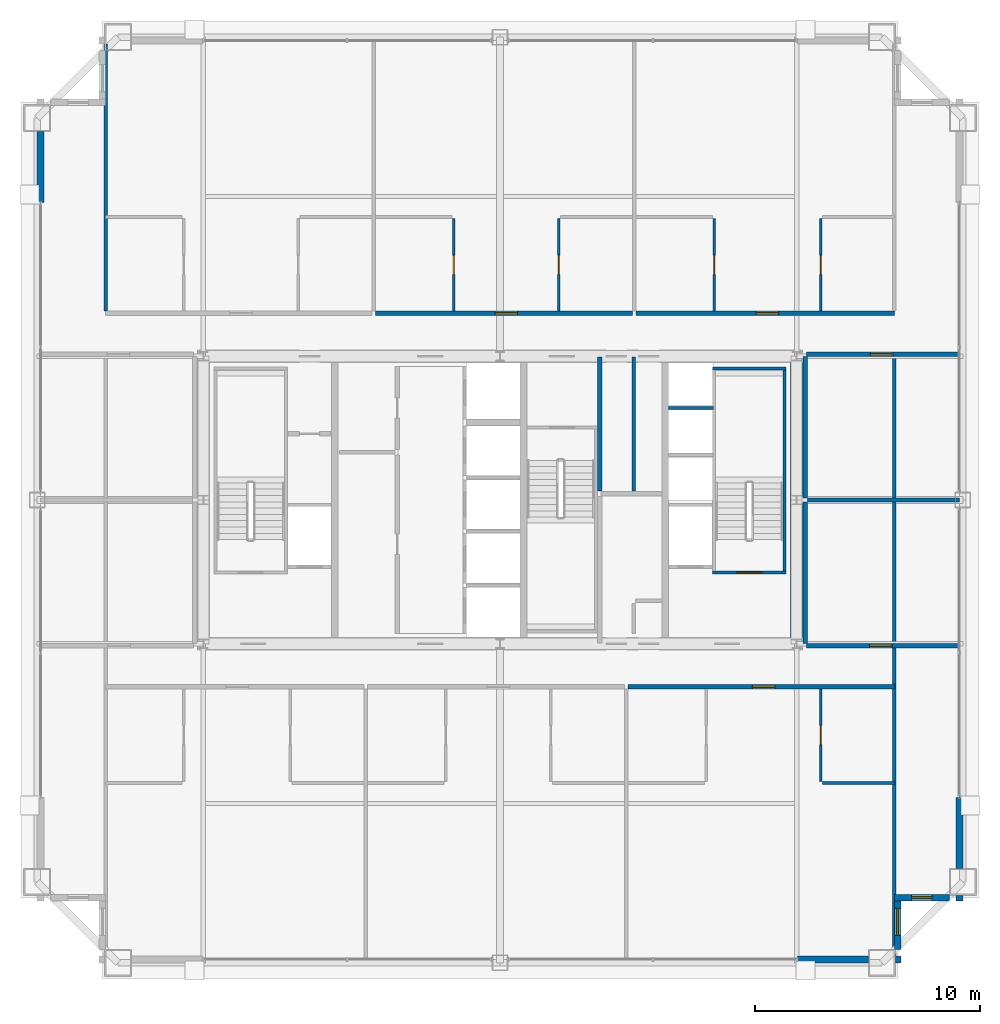
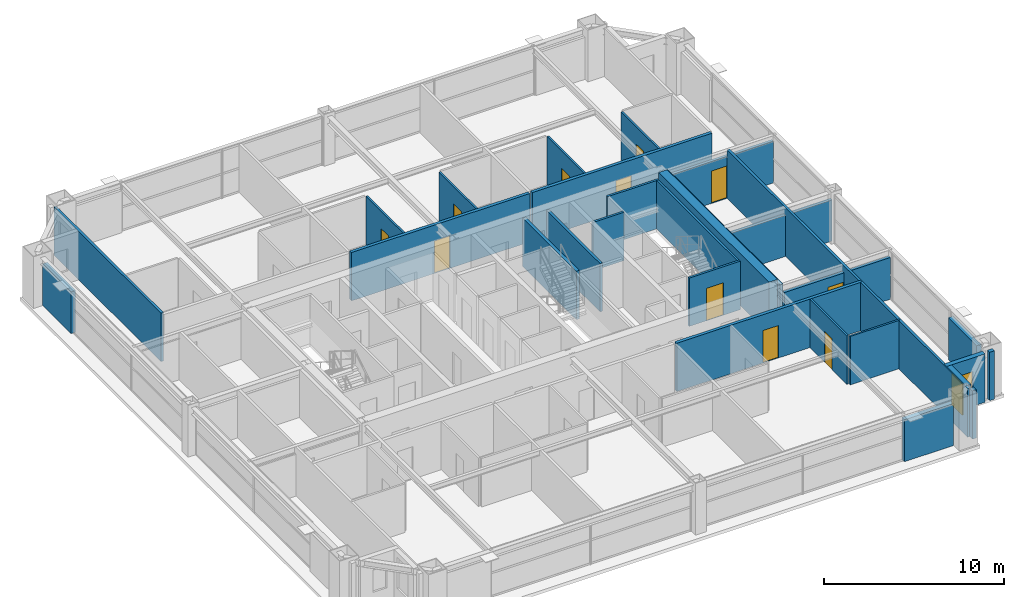
# One storey, part 34 of 36: 30 walls, 11 doors, 2 windows, 13 openings.
"""IFC4 building model written with IfcOpenShell, lengths in metres."""

from ifc_helpers import new_model, si_unit, direction, frame, frame_2d, origin, place, context, subcontext, project, spatial, rectangle, extrude, source, transform, mapped, material, layer, layer_set, type_object, element, fill, save


model = new_model("IFC4")

# Units and contexts
model_context = context("Model", 3, precision=1e-05, world=origin(), true_north=direction((0.0, 1.0)))
body_context = subcontext(model_context, "Body", "Model", "MODEL_VIEW")
ifc_project = project(units=[si_unit("LENGTHUNIT", "METRE"), si_unit("AREAUNIT", "SQUARE_METRE"), si_unit("VOLUMEUNIT", "CUBIC_METRE"), si_unit("PLANEANGLEUNIT", "RADIAN"), si_unit("MASSUNIT", "GRAM", prefix="KILO"), si_unit("THERMODYNAMICTEMPERATUREUNIT", "KELVIN"), si_unit("POWERUNIT", "WATT")], contexts=[model_context])

# Site, building, storey
site_placement = place(None, origin())
site = spatial("IfcSite", under=ifc_project, at=site_placement, CompositionType="ELEMENT")
building_placement = place(site_placement, origin())
building = spatial("IfcBuilding", under=site, at=building_placement, Name="Yuzanri Waterfront Tower", CompositionType="ELEMENT")
storey_placement = place(building_placement, frame((0.0, 0.0, 238.10009765625)))
storey = spatial("IfcBuildingStorey", under=building, at=storey_placement, Name="L63", CompositionType="ELEMENT", Elevation=238.10009765625)

# Wall, opening, door
ifc_material_1 = material(Name="Moisture-Resistant Gypsum Stud Wall", Category="gypsum")
ifc_layer_1 = layer(ifc_material_1, 0.1201171875)
ifc_layer_set_1 = layer_set([ifc_layer_1], Name="Moisture-Resistant Gypsum Stud Wall")
wall_type_1 = type_object("IfcWallType", Name="Bathroom and Kitchen Wet Partition 120", PredefinedType="PARTITIONING", material=ifc_layer_set_1)
wall_1_placement = place(storey_placement, frame((51.280029296875, 13.280029296875, 0.0), z_axis=(0.0, 0.0, 1.0), x_axis=(0.0, 1.0, 0.0)))
wall_1 = element("IfcWall", 1, at=wall_1_placement, inside=storey, type_object=wall_type_1, Name="L63 Partition UW-L63-RS3-SUB-2-W", PredefinedType="PARTITIONING", context=body_context, shape_type="SweptSolid", body=[
    extrude(rectangle(XDim=4.10986328125, YDim=0.1201171875, at=frame_2d((2.054931640625, 0.0))), origin(), (0.0, 0.0, 1.0), 3.27978515625),
])
opening_1_placement = place(wall_1_placement, frame((1.6298828125, 0.0, 0.0)))
opening_1 = element("IfcOpeningElement", 2, at=opening_1_placement, cuts=wall_1, Name="Opening ID-0850", PredefinedType="OPENING", context=body_context, shape_type="SweptSolid", body=[
    extrude(rectangle(XDim=0.85009765625, YDim=2.10009765625, at=frame_2d((0.425048828125, 1.050048828125))), frame((0.0, 0.074951171875, 0.0), z_axis=(0.0, -1.0, 0.0), x_axis=(1.0, 0.0, 0.0)), (0.0, 0.0, 1.0), 0.14990234375),
])
ifc_material_2 = material(Name="Moisture-Resistant Lacquered Timber", Category="wood")
door_type_1 = type_object("IfcDoorType", Name="En-Suite Bathroom and Kitchen Swing Door 850x2100", OperationType="NOTDEFINED", PredefinedType="DOOR", material=ifc_material_2)
shared_shape_1 = source(origin(), body_context, "Body", "SweptSolid", [
    extrude(rectangle(XDim=0.85009765625, YDim=2.10009765625, at=frame_2d((0.425048828125, 1.050048828125))), frame((0.0, 0.02490234375, 0.0), z_axis=(0.0, -1.0, 0.0), x_axis=(1.0, 0.0, 0.0)), (0.0, 0.0, 1.0), 0.050048828125),
])
door_1_placement = place(opening_1_placement, origin())
door_1 = element("IfcDoor", 3, at=door_1_placement, inside=storey, type_object=door_type_1, Name="L63 Suite Interior Room Door", OperationType="SINGLE_SWING_RIGHT", OverallHeight=2.10009765625, OverallWidth=0.85009765625, PredefinedType="DOOR", context=body_context, shape_type="MappedRepresentation", body=[
    mapped(shared_shape_1, transform((0.0, 0.0, 0.0), scale=1.0)),
])
fill(opening_1, door_1)

wall_2_placement = place(storey_placement, frame((34.94091796875, 34.2099609375, 0.0), z_axis=(0.0, 0.0, 1.0), x_axis=(0.0, 1.0, 0.0)))
wall_2 = element("IfcWall", 4, at=wall_2_placement, inside=storey, type_object=wall_type_1, Name="L63 Partition UW-L63-RN2-SUB-1-E", PredefinedType="PARTITIONING", context=body_context, shape_type="SweptSolid", body=[
    extrude(rectangle(XDim=4.110107421875, YDim=0.1201171875, at=frame_2d((2.05517578125, 0.0))), origin(), (0.0, 0.0, 1.0), 3.27978515625),
])
opening_2_placement = place(wall_2_placement, frame((1.6298828125, 0.0, 0.0)))
opening_2 = element("IfcOpeningElement", 5, at=opening_2_placement, cuts=wall_2, Name="Opening ID-0850", PredefinedType="OPENING", context=body_context, shape_type="SweptSolid", body=[
    extrude(rectangle(XDim=0.85009765625, YDim=2.10009765625, at=frame_2d((0.425048828125, 1.050048828125))), frame((0.0, 0.074951171875, 0.0), z_axis=(0.0, -1.0, 0.0), x_axis=(1.0, 0.0, 0.0)), (0.0, 0.0, 1.0), 0.14990234375),
])
door_2_placement = place(opening_2_placement, origin())
door_2 = element("IfcDoor", 6, at=door_2_placement, inside=storey, type_object=door_type_1, Name="L63 Suite Interior Room Door", OperationType="SINGLE_SWING_LEFT", OverallHeight=2.10009765625, OverallWidth=0.85009765625, PredefinedType="DOOR", context=body_context, shape_type="MappedRepresentation", body=[
    mapped(shared_shape_1, transform((0.0, 0.0, 0.0), scale=1.0)),
])
fill(opening_2, door_2)

wall_3_placement = place(storey_placement, frame((39.610107421875, 34.2099609375, 0.0), z_axis=(0.0, 0.0, 1.0), x_axis=(0.0, 1.0, 0.0)))
wall_3 = element("IfcWall", 7, at=wall_3_placement, inside=storey, type_object=wall_type_1, Name="L63 Partition UW-L63-RN2-SUB-2-W", PredefinedType="PARTITIONING", context=body_context, shape_type="SweptSolid", body=[
    extrude(rectangle(XDim=4.110107421875, YDim=0.1201171875, at=frame_2d((2.05517578125, 0.0))), origin(), (0.0, 0.0, 1.0), 3.27978515625),
])
opening_3_placement = place(wall_3_placement, frame((1.6298828125, 0.0, 0.0)))
opening_3 = element("IfcOpeningElement", 8, at=opening_3_placement, cuts=wall_3, Name="Opening ID-0850", PredefinedType="OPENING", context=body_context, shape_type="SweptSolid", body=[
    extrude(rectangle(XDim=0.85009765625, YDim=2.10009765625, at=frame_2d((0.425048828125, 1.050048828125))), frame((0.0, 0.074951171875, 0.0), z_axis=(0.0, -1.0, 0.0), x_axis=(1.0, 0.0, 0.0)), (0.0, 0.0, 1.0), 0.14990234375),
])
door_3_placement = place(opening_3_placement, origin())
door_3 = element("IfcDoor", 9, at=door_3_placement, inside=storey, type_object=door_type_1, Name="L63 Suite Interior Room Door", OperationType="SINGLE_SWING_RIGHT", OverallHeight=2.10009765625, OverallWidth=0.85009765625, PredefinedType="DOOR", context=body_context, shape_type="MappedRepresentation", body=[
    mapped(shared_shape_1, transform((0.0, 0.0, 0.0), scale=1.0)),
])
fill(opening_3, door_3)

wall_4_placement = place(storey_placement, frame((46.530029296875, 34.2099609375, 0.0), z_axis=(0.0, 0.0, 1.0), x_axis=(0.0, 1.0, 0.0)))
wall_4 = element("IfcWall", 10, at=wall_4_placement, inside=storey, type_object=wall_type_1, Name="L63 Partition UW-L63-RN3-SUB-1-E", PredefinedType="PARTITIONING", context=body_context, shape_type="SweptSolid", body=[
    extrude(rectangle(XDim=4.110107421875, YDim=0.1201171875, at=frame_2d((2.05517578125, 0.0))), origin(), (0.0, 0.0, 1.0), 3.27978515625),
])
opening_4_placement = place(wall_4_placement, frame((1.6298828125, 0.0, 0.0)))
opening_4 = element("IfcOpeningElement", 11, at=opening_4_placement, cuts=wall_4, Name="Opening ID-0850", PredefinedType="OPENING", context=body_context, shape_type="SweptSolid", body=[
    extrude(rectangle(XDim=0.85009765625, YDim=2.10009765625, at=frame_2d((0.425048828125, 1.050048828125))), frame((0.0, 0.074951171875, 0.0), z_axis=(0.0, -1.0, 0.0), x_axis=(1.0, 0.0, 0.0)), (0.0, 0.0, 1.0), 0.14990234375),
])
door_4_placement = place(opening_4_placement, origin())
door_4 = element("IfcDoor", 12, at=door_4_placement, inside=storey, type_object=door_type_1, Name="L63 Suite Interior Room Door", OperationType="SINGLE_SWING_RIGHT", OverallHeight=2.10009765625, OverallWidth=0.85009765625, PredefinedType="DOOR", context=body_context, shape_type="MappedRepresentation", body=[
    mapped(shared_shape_1, transform((0.0, 0.0, 0.0), scale=1.0)),
])
fill(opening_4, door_4)

wall_5_placement = place(storey_placement, frame((51.280029296875, 34.2099609375, 0.0), z_axis=(0.0, 0.0, 1.0), x_axis=(0.0, 1.0, 0.0)))
wall_5 = element("IfcWall", 13, at=wall_5_placement, inside=storey, type_object=wall_type_1, Name="L63 Partition UW-L63-RN3-SUB-2-W", PredefinedType="PARTITIONING", context=body_context, shape_type="SweptSolid", body=[
    extrude(rectangle(XDim=4.110107421875, YDim=0.1201171875, at=frame_2d((2.05517578125, 0.0))), origin(), (0.0, 0.0, 1.0), 3.27978515625),
])
opening_5_placement = place(wall_5_placement, frame((1.6298828125, 0.0, 0.0)))
opening_5 = element("IfcOpeningElement", 14, at=opening_5_placement, cuts=wall_5, Name="Opening ID-0850", PredefinedType="OPENING", context=body_context, shape_type="SweptSolid", body=[
    extrude(rectangle(XDim=0.85009765625, YDim=2.10009765625, at=frame_2d((0.425048828125, 1.050048828125))), frame((0.0, 0.074951171875, 0.0), z_axis=(0.0, -1.0, 0.0), x_axis=(1.0, 0.0, 0.0)), (0.0, 0.0, 1.0), 0.14990234375),
])
door_5_placement = place(opening_5_placement, origin())
door_5 = element("IfcDoor", 15, at=door_5_placement, inside=storey, type_object=door_type_1, Name="L63 Suite Interior Room Door", OperationType="SINGLE_SWING_LEFT", OverallHeight=2.10009765625, OverallWidth=0.85009765625, PredefinedType="DOOR", context=body_context, shape_type="MappedRepresentation", body=[
    mapped(shared_shape_1, transform((0.0, 0.0, 0.0), scale=1.0)),
])
fill(opening_5, door_5)

# Wall, opening, window
ifc_material_3 = material(Name="Honed Chongqing Dark Basalt Stone", Category="masonry")
ifc_layer_2 = layer(ifc_material_3, 0.300048828125)
ifc_layer_set_2 = layer_set([ifc_layer_2], Name="Honed Chongqing Dark Basalt Stone")
wall_type_2 = type_object("IfcWallType", Name="Bronze Rainscreen Insulated Spandrel Portal Wall 300", PredefinedType="SOLIDWALL", material=ifc_layer_set_2)
wall_6_placement = place(storey_placement, frame((54.550048828125, 8.10009765625, 0.0), z_axis=(0.0, 0.0, 1.0), x_axis=(1.0, 0.0, 0.0)))
wall_6 = element("IfcWall", 16, at=wall_6_placement, inside=storey, type_object=wall_type_2, Name="L63 Notched Corner Masonry Wall SE-X", PredefinedType="SOLIDWALL", context=body_context, shape_type="SweptSolid", body=[
    extrude(rectangle(XDim=2.449951171875, YDim=0.300048828125, at=frame_2d((1.22509765625, 0.0))), origin(), (0.0, 0.0, 1.0), 3.27978515625),
])
opening_6_placement = place(wall_6_placement, frame((0.77490234375, 0.0, 0.85009765625)))
opening_6 = element("IfcOpeningElement", 17, at=opening_6_placement, cuts=wall_6, Name="Opening WN-05", PredefinedType="OPENING", context=body_context, shape_type="SweptSolid", body=[
    extrude(rectangle(XDim=0.89990234375, YDim=1.5, at=frame_2d((0.449951171875, 0.75))), frame((0.0, 0.1650390625, 0.0), z_axis=(0.0, -1.0, 0.0), x_axis=(1.0, 0.0, 0.0)), (0.0, 0.0, 1.0), 0.329833984375),
])
ifc_material_4 = material(Name="Double-Silver Low-E Insulated Glass", Category="glass")
window_type_1 = type_object("IfcWindowType", Name="Anodized Bronze Service and Stairwell Smoke-Vent Window 900x1500", PartitioningType="SINGLE_PANEL", PredefinedType="WINDOW", material=ifc_material_4)
shared_shape_2 = source(origin(), body_context, "Body", "SweptSolid", [
    extrude(rectangle(XDim=0.89990234375, YDim=1.5, at=frame_2d((0.449951171875, 0.75))), frame((0.0, 0.030029296875, 0.0), z_axis=(0.0, -1.0, 0.0), x_axis=(1.0, 0.0, 0.0)), (0.0, 0.0, 1.0), 0.06005859375),
])
window_1_placement = place(opening_6_placement, origin())
window_1 = element("IfcWindow", 18, at=window_1_placement, inside=storey, type_object=window_type_1, Name="L63 Notched Corner Window SE-X", OverallHeight=1.5, OverallWidth=0.89990234375, PartitioningType="SINGLE_PANEL", PredefinedType="WINDOW", context=body_context, shape_type="MappedRepresentation", body=[
    mapped(shared_shape_2, transform((0.0, 0.0, 0.0), scale=1.0)),
])
fill(opening_6, window_1)

wall_7_placement = place(storey_placement, frame((54.699951171875, 5.800048828125, 0.0), z_axis=(0.0, 0.0, 1.0), x_axis=(0.0, 1.0, 0.0)))
wall_7 = element("IfcWall", 19, at=wall_7_placement, inside=storey, type_object=wall_type_2, Name="L63 Notched Corner Masonry Wall SE-Y", PredefinedType="SOLIDWALL", context=body_context, shape_type="SweptSolid", body=[
    extrude(rectangle(XDim=2.449951171875, YDim=0.300048828125, at=frame_2d((1.22509765625, 0.0))), origin(), (0.0, 0.0, 1.0), 3.27978515625),
])
opening_7_placement = place(wall_7_placement, frame((0.625, 0.0, 0.85009765625)))
opening_7 = element("IfcOpeningElement", 20, at=opening_7_placement, cuts=wall_7, Name="Opening WN-02", PredefinedType="OPENING", context=body_context, shape_type="SweptSolid", body=[
    extrude(rectangle(XDim=1.199951171875, YDim=2.10009765625, at=frame_2d((0.60009765625, 1.050048828125))), frame((0.0, 0.1650390625, 0.0), z_axis=(0.0, -1.0, 0.0), x_axis=(1.0, 0.0, 0.0)), (0.0, 0.0, 1.0), 0.329833984375),
])
ifc_material_5 = material(Name="Double-Silver Low-E Insulated Glass", Category="glass")
window_type_2 = type_object("IfcWindowType", Name="Anodized Bronze Notched Corner Deep-Set Slot Window 1200x2100", PartitioningType="SINGLE_PANEL", PredefinedType="WINDOW", material=ifc_material_5)
shared_shape_3 = source(origin(), body_context, "Body", "SweptSolid", [
    extrude(rectangle(XDim=1.199951171875, YDim=2.10009765625, at=frame_2d((0.60009765625, 1.050048828125))), frame((0.0, 0.030029296875, 0.0), z_axis=(0.0, -1.0, 0.0), x_axis=(1.0, 0.0, 0.0)), (0.0, 0.0, 1.0), 0.06005859375),
])
window_2_placement = place(opening_7_placement, origin())
window_2 = element("IfcWindow", 21, at=window_2_placement, inside=storey, type_object=window_type_2, Name="L63 Notched Corner Window SE-Y", OverallHeight=2.10009765625, OverallWidth=1.199951171875, PartitioningType="SINGLE_PANEL", PredefinedType="WINDOW", context=body_context, shape_type="MappedRepresentation", body=[
    mapped(shared_shape_3, transform((0.0, 0.0, 0.0), scale=1.0)),
])
fill(opening_7, window_2)

# Wall, opening, door
ifc_material_6 = material(Name="Concrete C40", Category="concrete")
ifc_layer_3 = layer(ifc_material_6, 0.139892578125)
ifc_layer_set_3 = layer_set([ifc_layer_3], Name="Concrete C40")
wall_type_3 = type_object("IfcWallType", Name="Core Stair Liner and Hoistway Shaft Wall 140", PredefinedType="SOLIDWALL", material=ifc_layer_set_3)
wall_8_placement = place(storey_placement, frame((46.4599609375, 22.570068359375, 0.0), z_axis=(0.0, 0.0, 1.0), x_axis=(1.0, 0.0, 0.0)))
wall_8 = element("IfcWall", 22, at=wall_8_placement, inside=storey, type_object=wall_type_3, Name="L63 Shaft Wall STW-L63-ST-02-S", PredefinedType="SOLIDWALL", context=body_context, shape_type="SweptSolid", body=[
    extrude(rectangle(XDim=3.280029296875, YDim=0.139892578125, at=frame_2d((1.64013671875, 0.0))), origin(), (0.0, 0.0, 1.0), 3.27978515625),
])
opening_8_placement = place(wall_8_placement, frame((1.090087890625, 0.0, 0.0)))
opening_8 = element("IfcOpeningElement", 23, at=opening_8_placement, cuts=wall_8, Name="Opening FD-1100", PredefinedType="OPENING", context=body_context, shape_type="SweptSolid", body=[
    extrude(rectangle(XDim=1.10009765625, YDim=2.199951171875, at=frame_2d((0.550048828125, 1.10009765625))), frame((0.0, 0.0849609375, 0.0), z_axis=(0.0, -1.0, 0.0), x_axis=(1.0, 0.0, 0.0)), (0.0, 0.0, 1.0), 0.169677734375),
])
ifc_material_7 = material(Name="Painted Galvanized Fire Steel", Category="steel")
door_type_2 = type_object("IfcDoorType", Name="Smoke-Proof Stair and Lobby Fire Door 1100x2200", OperationType="NOTDEFINED", PredefinedType="DOOR", material=ifc_material_7)
shared_shape_4 = source(origin(), body_context, "Body", "SweptSolid", [
    extrude(rectangle(XDim=1.10009765625, YDim=2.199951171875, at=frame_2d((0.550048828125, 1.10009765625))), frame((0.0, 0.02490234375, 0.0), z_axis=(0.0, -1.0, 0.0), x_axis=(1.0, 0.0, 0.0)), (0.0, 0.0, 1.0), 0.050048828125),
])
door_6_placement = place(opening_8_placement, origin())
door_6 = element("IfcDoor", 24, at=door_6_placement, inside=storey, type_object=door_type_2, Name="L63 Stair ST-02 Fire Door", OperationType="SINGLE_SWING_LEFT", OverallHeight=2.199951171875, OverallWidth=1.10009765625, PredefinedType="DOOR", context=body_context, shape_type="MappedRepresentation", body=[
    mapped(shared_shape_4, transform((0.0, 0.0, 0.0), scale=1.0)),
])
fill(opening_8, door_6)

ifc_material_8 = material(Name="Autoclaved Aerated Concrete Blockwork", Category="masonry")
ifc_layer_4 = layer(ifc_material_8, 0.199951171875)
ifc_layer_set_4 = layer_set([ifc_layer_4], Name="Autoclaved Aerated Concrete Blockwork")
wall_type_4 = type_object("IfcWallType", Name="Corridor and Unit Party Fire Wall 200", PredefinedType="PARTITIONING", material=ifc_layer_set_4)
wall_9_placement = place(storey_placement, frame((42.698974609375, 17.489990234375, 0.0), z_axis=(0.0, 0.0, 1.0), x_axis=(1.0, 0.0, 0.0)))
wall_9 = element("IfcWall", 25, at=wall_9_placement, inside=storey, type_object=wall_type_4, Name="L63 Partition UW-L63-RS3-CN", PredefinedType="PARTITIONING", context=body_context, shape_type="SweptSolid", body=[
    extrude(rectangle(XDim=11.861083984375, YDim=0.199951171875, at=frame_2d((5.9306640625, 0.0))), origin(), (0.0, 0.0, 1.0), 3.27978515625),
])
opening_9_placement = place(wall_9_placement, frame((5.531005859375, 0.0, 0.0)))
opening_9 = element("IfcOpeningElement", 26, at=opening_9_placement, cuts=wall_9, Name="Opening FD-1000", PredefinedType="OPENING", context=body_context, shape_type="SweptSolid", body=[
    extrude(rectangle(XDim=1.0, YDim=2.199951171875, at=frame_2d((0.5, 1.10009765625))), frame((0.0, 0.11474609375, 0.0), z_axis=(0.0, -1.0, 0.0), x_axis=(1.0, 0.0, 0.0)), (0.0, 0.0, 1.0), 0.229736328125),
])
ifc_material_9 = material(Name="Engineered Oak Fire-Rated Timber", Category="wood")
door_type_3 = type_object("IfcDoorType", Name="Guestroom and Apartment Entrance Fire Door 1000x2200", OperationType="NOTDEFINED", PredefinedType="DOOR", material=ifc_material_9)
shared_shape_5 = source(origin(), body_context, "Body", "SweptSolid", [
    extrude(rectangle(XDim=1.0, YDim=2.199951171875, at=frame_2d((0.5, 1.10009765625))), frame((0.0, 0.02490234375, 0.0), z_axis=(0.0, -1.0, 0.0), x_axis=(1.0, 0.0, 0.0)), (0.0, 0.0, 1.0), 0.050048828125),
])
door_7_placement = place(opening_9_placement, origin())
door_7 = element("IfcDoor", 27, at=door_7_placement, inside=storey, type_object=door_type_3, Name="L63 Studio Living and Sleeping Room Entrance Door", OperationType="SINGLE_SWING_RIGHT", OverallHeight=2.199951171875, OverallWidth=1.0, PredefinedType="DOOR", context=body_context, shape_type="MappedRepresentation", body=[
    mapped(shared_shape_5, transform((0.0, 0.0, 0.0), scale=1.0)),
])
fill(opening_9, door_7)

wall_10_placement = place(storey_placement, frame((31.4609375, 34.110107421875, 0.0), z_axis=(0.0, 0.0, 1.0), x_axis=(1.0, 0.0, 0.0)))
wall_10 = element("IfcWall", 28, at=wall_10_placement, inside=storey, type_object=wall_type_4, Name="L63 Partition UW-L63-RN2-CS", PredefinedType="PARTITIONING", context=body_context, shape_type="SweptSolid", body=[
    extrude(rectangle(XDim=11.428955078125, YDim=0.199951171875, at=frame_2d((5.71435546875, 0.0))), origin(), (0.0, 0.0, 1.0), 3.27978515625),
])
opening_10_placement = place(wall_10_placement, frame((5.31396484375, 0.0, 0.0)))
opening_10 = element("IfcOpeningElement", 29, at=opening_10_placement, cuts=wall_10, Name="Opening FD-1000", PredefinedType="OPENING", context=body_context, shape_type="SweptSolid", body=[
    extrude(rectangle(XDim=1.0, YDim=2.199951171875, at=frame_2d((0.5, 1.10009765625))), frame((0.0, 0.11474609375, 0.0), z_axis=(0.0, -1.0, 0.0), x_axis=(1.0, 0.0, 0.0)), (0.0, 0.0, 1.0), 0.229736328125),
])
door_8_placement = place(opening_10_placement, origin())
door_8 = element("IfcDoor", 30, at=door_8_placement, inside=storey, type_object=door_type_3, Name="L63 Studio Living and Sleeping Room Entrance Door", OperationType="SINGLE_SWING_RIGHT", OverallHeight=2.199951171875, OverallWidth=1.0, PredefinedType="DOOR", context=body_context, shape_type="MappedRepresentation", body=[
    mapped(shared_shape_5, transform((0.0, 0.0, 0.0), scale=1.0)),
])
fill(opening_10, door_8)

wall_11_placement = place(storey_placement, frame((43.050048828125, 34.110107421875, 0.0), z_axis=(0.0, 0.0, 1.0), x_axis=(1.0, 0.0, 0.0)))
wall_11 = element("IfcWall", 31, at=wall_11_placement, inside=storey, type_object=wall_type_4, Name="L63 Partition UW-L63-RN3-CS", PredefinedType="PARTITIONING", context=body_context, shape_type="SweptSolid", body=[
    extrude(rectangle(XDim=11.510009765625, YDim=0.199951171875, at=frame_2d((5.7548828125, 0.0))), origin(), (0.0, 0.0, 1.0), 3.27978515625),
])
opening_11_placement = place(wall_11_placement, frame((5.35498046875, 0.0, 0.0)))
opening_11 = element("IfcOpeningElement", 32, at=opening_11_placement, cuts=wall_11, Name="Opening FD-1000", PredefinedType="OPENING", context=body_context, shape_type="SweptSolid", body=[
    extrude(rectangle(XDim=1.0, YDim=2.199951171875, at=frame_2d((0.5, 1.10009765625))), frame((0.0, 0.11474609375, 0.0), z_axis=(0.0, -1.0, 0.0), x_axis=(1.0, 0.0, 0.0)), (0.0, 0.0, 1.0), 0.229736328125),
])
door_9_placement = place(opening_11_placement, origin())
door_9 = element("IfcDoor", 33, at=door_9_placement, inside=storey, type_object=door_type_3, Name="L63 Studio Living and Sleeping Room Entrance Door", OperationType="SINGLE_SWING_LEFT", OverallHeight=2.199951171875, OverallWidth=1.0, PredefinedType="DOOR", context=body_context, shape_type="MappedRepresentation", body=[
    mapped(shared_shape_5, transform((0.0, 0.0, 0.0), scale=1.0)),
])
fill(opening_11, door_9)

wall_12_placement = place(storey_placement, frame((50.64990234375, 19.31005859375, 0.0), z_axis=(0.0, 0.0, 1.0), x_axis=(1.0, 0.0, 0.0)))
wall_12 = element("IfcWall", 34, at=wall_12_placement, inside=storey, type_object=wall_type_4, Name="L63 Partition UW-L63-038-CS", PredefinedType="PARTITIONING", context=body_context, shape_type="SweptSolid", body=[
    extrude(rectangle(XDim=6.800048828125, YDim=0.199951171875, at=frame_2d((3.39990234375, 0.0))), origin(), (0.0, 0.0, 1.0), 2.824951171875),
])
opening_12_placement = place(wall_12_placement, frame((2.800048828125, 0.0, 0.0)))
opening_12 = element("IfcOpeningElement", 35, at=opening_12_placement, cuts=wall_12, Name="Opening FD-1000", PredefinedType="OPENING", context=body_context, shape_type="SweptSolid", body=[
    extrude(rectangle(XDim=1.0, YDim=2.199951171875, at=frame_2d((0.5, 1.10009765625))), frame((0.0, 0.11474609375, 0.0), z_axis=(0.0, -1.0, 0.0), x_axis=(1.0, 0.0, 0.0)), (0.0, 0.0, 1.0), 0.229736328125),
])
door_10_placement = place(opening_12_placement, origin())
door_10 = element("IfcDoor", 36, at=door_10_placement, inside=storey, type_object=door_type_3, Name="L63 Residents E Fitness Gymnasium Entrance Door", OperationType="SINGLE_SWING_RIGHT", OverallHeight=2.199951171875, OverallWidth=1.0, PredefinedType="DOOR", context=body_context, shape_type="MappedRepresentation", body=[
    mapped(shared_shape_5, transform((0.0, 0.0, 0.0), scale=1.0)),
])
fill(opening_12, door_10)

wall_13_placement = place(storey_placement, frame((50.64990234375, 32.2900390625, 0.0), z_axis=(0.0, 0.0, 1.0), x_axis=(1.0, 0.0, 0.0)))
wall_13 = element("IfcWall", 37, at=wall_13_placement, inside=storey, type_object=wall_type_4, Name="L63 Partition UW-L63-039-CN", PredefinedType="PARTITIONING", context=body_context, shape_type="SweptSolid", body=[
    extrude(rectangle(XDim=6.800048828125, YDim=0.199951171875, at=frame_2d((3.39990234375, 0.0))), origin(), (0.0, 0.0, 1.0), 2.824951171875),
])
opening_13_placement = place(wall_13_placement, frame((2.8349609375, 0.0, 0.0)))
opening_13 = element("IfcOpeningElement", 38, at=opening_13_placement, cuts=wall_13, Name="Opening FD-1000", PredefinedType="OPENING", context=body_context, shape_type="SweptSolid", body=[
    extrude(rectangle(XDim=1.0, YDim=2.199951171875, at=frame_2d((0.5, 1.10009765625))), frame((0.0, 0.11474609375, 0.0), z_axis=(0.0, -1.0, 0.0), x_axis=(1.0, 0.0, 0.0)), (0.0, 0.0, 1.0), 0.229736328125),
])
door_11_placement = place(opening_13_placement, origin())
door_11 = element("IfcDoor", 39, at=door_11_placement, inside=storey, type_object=door_type_3, Name="L63 Residents E Yoga Gym Studio Entrance Door", OperationType="SINGLE_SWING_LEFT", OverallHeight=2.199951171875, OverallWidth=1.0, PredefinedType="DOOR", context=body_context, shape_type="MappedRepresentation", body=[
    mapped(shared_shape_5, transform((0.0, 0.0, 0.0), scale=1.0)),
])
fill(opening_13, door_11)

# Walls
ifc_material_10 = material(Name="Concrete C50", Category="concrete")
ifc_layer_5 = layer(ifc_material_10, 0.550048828125)
ifc_layer_set_5 = layer_set([ifc_layer_5], Name="Concrete C50")
wall_type_5 = type_object("IfcWallType", Name="Concrete C50 Upper-Mid Zone Core Shear Wall 550", PredefinedType="SHEAR", material=ifc_layer_set_5)
shared_shape_6 = source(origin(), body_context, "Body", "SweptSolid", [
    extrude(rectangle(XDim=12.25, YDim=0.550048828125, at=frame_2d((6.125, 0.0))), origin(), (0.0, 0.0, 1.0), 3.5),
])
wall_14_placement = place(storey_placement, frame((50.199951171875, 19.675048828125, 0.0), z_axis=(0.0, 0.0, 1.0), x_axis=(0.0, 1.0, 0.0)))
element("IfcWall", 40, at=wall_14_placement, inside=storey, type_object=wall_type_5, Name="L63 Core East Shear Wall", PredefinedType="SHEAR", context=body_context, shape_type="MappedRepresentation", body=[
    mapped(shared_shape_6, transform((0.0, 0.0, 0.0), scale=1.0)),
])
shared_shape_7 = source(origin(), body_context, "Body", "SweptSolid", [
    extrude(rectangle(XDim=0.25, YDim=0.300048828125, at=frame_2d((0.125, 0.0))), origin(), (0.0, 0.0, 1.0), 3.27978515625),
])
for number, where, z_axis, x_axis, name in (
    (41, (54.60009765625, 5.35009765625, 0.0), (0.0, 0.0, 1.0), (1.0, 0.0, 0.0), "L63 Corner Column Shoulder Return CSE"),
    (42, (57.449951171875, 7.949951171875, 0.0), (0.0, 0.0, 1.0), (0.0, 1.0, 0.0), "L63 Corner Column Shoulder Return CES"),
):
    element("IfcWall", number, at=place(storey_placement, frame(where, z_axis=z_axis, x_axis=x_axis)), inside=storey, type_object=wall_type_2, Name=name, PredefinedType="SOLIDWALL", context=body_context, shape_type="MappedRepresentation", body=[
        mapped(shared_shape_7, transform((0.0, 0.0, 0.0), scale=1.0)),
    ])
shared_shape_8 = source(origin(), body_context, "Body", "SweptSolid", [
    extrude(rectangle(XDim=3.14990234375, YDim=0.300048828125, at=frame_2d((1.574951171875, 0.0))), origin(), (0.0, 0.0, 1.0), 2.8349609375),
])
for number, where, z_axis, x_axis, name in (
    (43, (50.25, 5.35009765625, 0.0), (0.0, 0.0, 1.0), (1.0, 0.0, 0.0), "L63 S Right Braced Masonry Shoulder"),
    (44, (16.550048828125, 39.050048828125, 0.0), (0.0, 0.0, 1.0), (0.0, 1.0, 0.0), "L63 W Right Braced Masonry Shoulder"),
):
    element("IfcWall", number, at=place(storey_placement, frame(where, z_axis=z_axis, x_axis=x_axis)), inside=storey, type_object=wall_type_2, Name=name, PredefinedType="SOLIDWALL", context=body_context, shape_type="MappedRepresentation", body=[
        mapped(shared_shape_8, transform((0.0, 0.0, 0.0), scale=1.0)),
    ])
shared_shape_9 = source(origin(), body_context, "Body", "SweptSolid", [
    extrude(rectangle(XDim=3.150146484375, YDim=0.300048828125, at=frame_2d((1.5751953125, 0.0))), origin(), (0.0, 0.0, 1.0), 2.8349609375),
])
wall_15_placement = place(storey_placement, frame((57.449951171875, 9.39990234375, 0.0), z_axis=(0.0, 0.0, 1.0), x_axis=(0.0, 1.0, 0.0)))
element("IfcWall", 45, at=wall_15_placement, inside=storey, type_object=wall_type_2, Name="L63 E Left Braced Masonry Shoulder", PredefinedType="SOLIDWALL", context=body_context, shape_type="MappedRepresentation", body=[
    mapped(shared_shape_9, transform((0.0, 0.0, 0.0), scale=1.0)),
])
shared_shape_10 = source(origin(), body_context, "Body", "SweptSolid", [
    extrude(rectangle(XDim=2.0, YDim=0.139892578125, at=frame_2d((1.0, 0.0))), origin(), (0.0, 0.0, 1.0), 3.27978515625),
])
wall_16_placement = place(storey_placement, frame((44.5, 29.89990234375, 0.0), z_axis=(0.0, 0.0, 1.0), x_axis=(1.0, 0.0, 0.0)))
element("IfcWall", 46, at=wall_16_placement, inside=storey, type_object=wall_type_3, Name="L63 Lift PL-10 Divider Wall", PredefinedType="SOLIDWALL", context=body_context, shape_type="MappedRepresentation", body=[
    mapped(shared_shape_10, transform((0.0, 0.0, 0.0), scale=1.0)),
])
shared_shape_11 = source(origin(), body_context, "Body", "SweptSolid", [
    extrude(rectangle(XDim=3.280029296875, YDim=0.139892578125, at=frame_2d((1.64013671875, 0.0))), origin(), (0.0, 0.0, 1.0), 3.27978515625),
])
wall_17_placement = place(storey_placement, frame((46.4599609375, 31.64990234375, 0.0), z_axis=(0.0, 0.0, 1.0), x_axis=(1.0, 0.0, 0.0)))
element("IfcWall", 47, at=wall_17_placement, inside=storey, type_object=wall_type_3, Name="L63 Stair ST-02 North Shaft Wall", PredefinedType="SOLIDWALL", context=body_context, shape_type="MappedRepresentation", body=[
    mapped(shared_shape_11, transform((0.0, 0.0, 0.0), scale=1.0)),
])
shared_shape_12 = source(origin(), body_context, "Body", "SweptSolid", [
    extrude(rectangle(XDim=8.940185546875, YDim=0.139892578125, at=frame_2d((4.47021484375, 0.0))), origin(), (0.0, 0.0, 1.0), 3.27978515625),
])
wall_18_placement = place(storey_placement, frame((49.669921875, 22.639892578125, 0.0), z_axis=(0.0, 0.0, 1.0), x_axis=(0.0, 1.0, 0.0)))
element("IfcWall", 48, at=wall_18_placement, inside=storey, type_object=wall_type_3, Name="L63 Stair ST-02 East Shaft Wall", PredefinedType="SOLIDWALL", context=body_context, shape_type="MappedRepresentation", body=[
    mapped(shared_shape_12, transform((0.0, 0.0, 0.0), scale=1.0)),
])
shared_shape_13 = source(origin(), body_context, "Body", "SweptSolid", [
    extrude(rectangle(XDim=3.199951171875, YDim=0.1201171875, at=frame_2d((1.60009765625, 0.0))), origin(), (0.0, 0.0, 1.0), 3.27978515625),
])
wall_19_placement = place(storey_placement, frame((51.360107421875, 13.199951171875, 0.0), z_axis=(0.0, 0.0, 1.0), x_axis=(1.0, 0.0, 0.0)))
element("IfcWall", 49, at=wall_19_placement, inside=storey, type_object=wall_type_1, Name="L63 Partition UW-L63-RS3-SUB-2-S", PredefinedType="PARTITIONING", context=body_context, shape_type="MappedRepresentation", body=[
    mapped(shared_shape_13, transform((0.0, 0.0, 0.0), scale=1.0)),
])
ifc_material_11 = material(Name="Gypsum Fireboard Acoustic Stud Wall", Category="gypsum")
ifc_layer_6 = layer(ifc_material_11, 0.159912109375)
ifc_layer_set_6 = layer_set([ifc_layer_6], Name="Gypsum Fireboard Acoustic Stud Wall")
wall_type_6 = type_object("IfcWallType", Name="Acoustic Suite Demising Partition 160", PredefinedType="PARTITIONING", material=ifc_layer_set_6)
shared_shape_14 = source(origin(), body_context, "Body", "SweptSolid", [
    extrude(rectangle(XDim=11.89013671875, YDim=0.159912109375, at=frame_2d((5.945068359375, 0.0))), origin(), (0.0, 0.0, 1.0), 3.27978515625),
])
wall_20_placement = place(storey_placement, frame((19.449951171875, 34.2099609375, 0.0), z_axis=(0.0, 0.0, 1.0), x_axis=(0.0, 1.0, 0.0)))
element("IfcWall", 50, at=wall_20_placement, inside=storey, type_object=wall_type_6, Name="L63 North Band West End Wall", PredefinedType="PARTITIONING", context=body_context, shape_type="MappedRepresentation", body=[
    mapped(shared_shape_14, transform((0.0, 0.0, 0.0), scale=1.0)),
])
shared_shape_15 = source(origin(), body_context, "Body", "SweptSolid", [
    extrude(rectangle(XDim=6.764892578125, YDim=0.199951171875, at=frame_2d((3.38232421875, 0.0))), origin(), (0.0, 0.0, 1.0), 2.786865234375),
])
wall_21_placement = place(storey_placement, frame((50.68505859375, 25.800048828125, 0.0), z_axis=(0.0, 0.0, 1.0), x_axis=(1.0, 0.0, 0.0)))
element("IfcWall", 51, at=wall_21_placement, inside=storey, type_object=wall_type_4, Name="L63-038 Wing North Wall", PredefinedType="PARTITIONING", context=body_context, shape_type="MappedRepresentation", body=[
    mapped(shared_shape_15, transform((0.0, 0.0, 0.0), scale=1.0)),
])
shared_shape_16 = source(origin(), body_context, "Body", "SweptSolid", [
    extrude(rectangle(XDim=6.2900390625, YDim=0.199951171875, at=frame_2d((3.14501953125, 0.0))), origin(), (0.0, 0.0, 1.0), 3.27978515625),
])
for number, where, z_axis, x_axis, name in (
    (52, (50.580078125, 19.409912109375, 0.0), (0.0, 0.0, 1.0), (0.0, 1.0, 0.0), "L63-038 Wing Inner Core-Side Wall"),
    (53, (50.580078125, 25.89990234375, 0.0), (0.0, 0.0, 1.0), (0.0, 1.0, 0.0), "L63-039 Wing Inner Core-Side Wall"),
):
    element("IfcWall", number, at=place(storey_placement, frame(where, z_axis=z_axis, x_axis=x_axis)), inside=storey, type_object=wall_type_4, Name=name, PredefinedType="PARTITIONING", context=body_context, shape_type="MappedRepresentation", body=[
        mapped(shared_shape_16, transform((0.0, 0.0, 0.0), scale=1.0)),
    ])
shared_shape_17 = source(origin(), body_context, "Body", "SweptSolid", [
    extrude(rectangle(XDim=26.68994140625, YDim=0.159912109375, at=frame_2d((13.344970703125, 0.0))), origin(), (0.0, 0.0, 1.0), 3.27978515625),
])
wall_22_placement = place(storey_placement, frame((54.550048828125, 5.5, 0.0), z_axis=(0.0, 0.0, 1.0), x_axis=(0.0, 1.0, 0.0)))
element("IfcWall", 54, at=wall_22_placement, inside=storey, type_object=wall_type_6, Name="L63 South Band East End Wall", PredefinedType="PARTITIONING", context=body_context, shape_type="MappedRepresentation", body=[
    mapped(shared_shape_17, transform((0.0, 0.0, 0.0), scale=1.0)),
])
shared_shape_18 = source(origin(), body_context, "Body", "SweptSolid", [
    extrude(rectangle(XDim=5.9599609375, YDim=0.199951171875, at=frame_2d((2.97998046875, 0.0))), origin(), (0.0, 0.0, 1.0), 3.27978515625),
])
wall_23_placement = place(storey_placement, frame((41.449951171875, 26.199951171875, 0.0), z_axis=(0.0, 0.0, 1.0), x_axis=(0.0, 1.0, 0.0)))
element("IfcWall", 55, at=wall_23_placement, inside=storey, type_object=wall_type_4, Name="L63 Core BOH West Wall 2", PredefinedType="PARTITIONING", context=body_context, shape_type="MappedRepresentation", body=[
    mapped(shared_shape_18, transform((0.0, 0.0, 0.0), scale=1.0)),
])
shared_shape_19 = source(origin(), body_context, "Body", "SweptSolid", [
    extrude(rectangle(XDim=5.9599609375, YDim=0.159912109375, at=frame_2d((2.97998046875, 0.0))), origin(), (0.0, 0.0, 1.0), 3.27978515625),
])
wall_24_placement = place(storey_placement, frame((42.949951171875, 26.199951171875, 0.0), z_axis=(0.0, 0.0, 1.0), x_axis=(0.0, 1.0, 0.0)))
element("IfcWall", 56, at=wall_24_placement, inside=storey, type_object=wall_type_6, Name="L63 Core BOH Mid Wall 3", PredefinedType="PARTITIONING", context=body_context, shape_type="MappedRepresentation", body=[
    mapped(shared_shape_19, transform((0.0, 0.0, 0.0), scale=1.0)),
])

save(model, "model.ifc")
